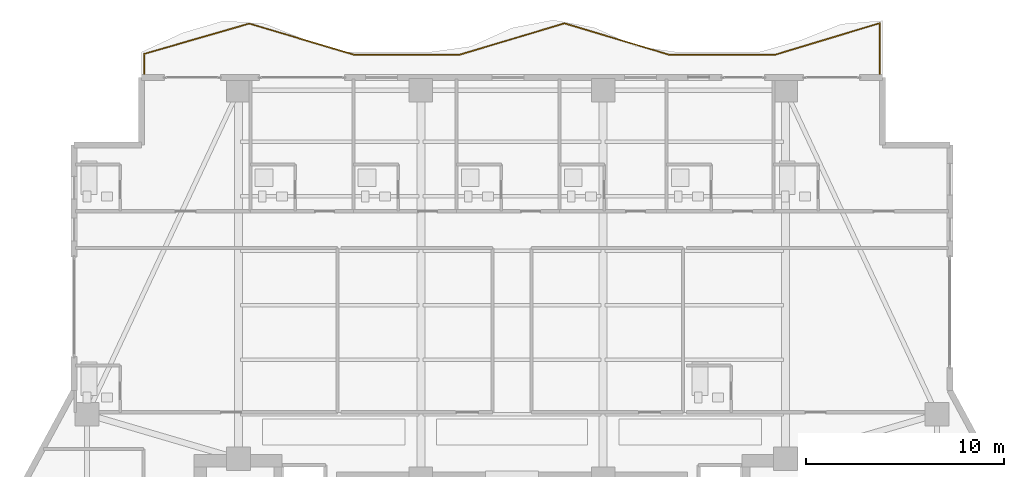
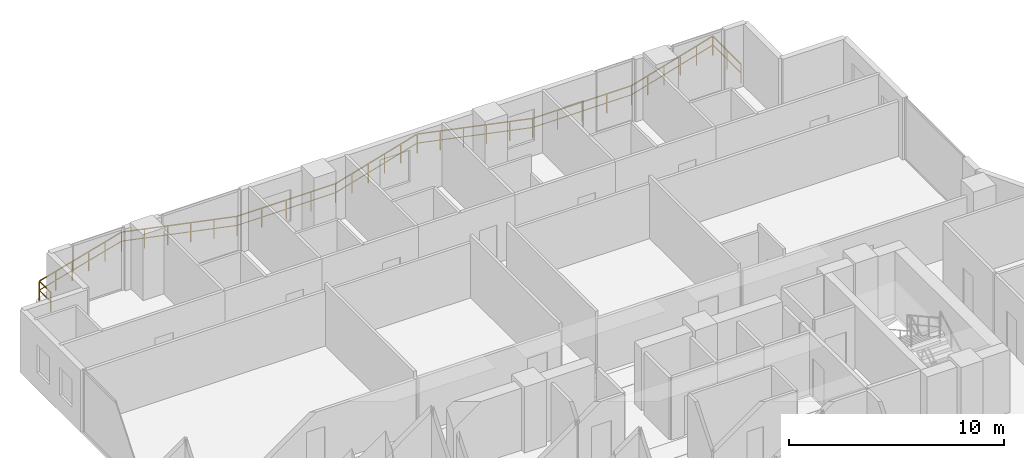
# One storey, part 31 of 32: 1 railing.
"""IFC4 building model written with IfcOpenShell, lengths in metres."""

from ifc_helpers import new_model, si_unit, direction, frame, origin, origin_2d, place, context, subcontext, project, spatial, rectangle, extrude, material, type_object, element, save


model = new_model("IFC4")

# Units and contexts
model_context = context("Model", 3, precision=1e-05, world=origin(), true_north=direction((0.0, 1.0)))
body_context = subcontext(model_context, "Body", "Model", "MODEL_VIEW")
ifc_project = project(units=[si_unit("LENGTHUNIT", "METRE"), si_unit("AREAUNIT", "SQUARE_METRE"), si_unit("VOLUMEUNIT", "CUBIC_METRE"), si_unit("PLANEANGLEUNIT", "RADIAN"), si_unit("MASSUNIT", "GRAM", prefix="KILO")], contexts=[model_context])

# Site, building, storey
site_placement = place(None, origin())
site = spatial("IfcSite", under=ifc_project, at=site_placement, CompositionType="ELEMENT")
building_placement = place(site_placement, origin())
building = spatial("IfcBuilding", under=site, at=building_placement, Name="Zuhayl Quay Hotel", CompositionType="ELEMENT")
storey_placement = place(building_placement, frame((0.0, 0.0, 203.64990234375)))
storey = spatial("IfcBuildingStorey", under=building, at=storey_placement, Name="L51", CompositionType="ELEMENT", Elevation=203.64990234375)

# Railing
ifc_material = material(Name="Anodised Aluminium and Laminated Glass", Category="aluminium")
railing_type = type_object("IfcRailingType", Name="RL_EXT_BAL_1100", PredefinedType="BALUSTRADE", material=ifc_material)
railing_placement = place(storey_placement, frame((-18.56005859375, 33.719970703125, 0.0)))
element("IfcRailing", 1, at=railing_placement, inside=storey, type_object=railing_type, Name="L51 Balcony and Terrace Guard GR_L51_BAL_N", PredefinedType="BALUSTRADE", context=body_context, shape_type="SweptSolid", body=[
    extrude(rectangle(XDim=0.048095703125, YDim=0.048095703125, at=origin_2d()), frame((0.0, 0.0, 1.09619140625), z_axis=(0.0, 1.0, 0.0), x_axis=(-1.0, 0.0, 0.0)), (0.0, 0.0, 1.0), 1.069580078125),
    extrude(rectangle(XDim=0.0361328125, YDim=0.0361328125, at=origin_2d()), frame((0.0, 0.0, 0.58251953125), z_axis=(0.0, 1.0, 0.0), x_axis=(-1.0, 0.0, 0.0)), (0.0, 0.0, 1.0), 1.069580078125),
    extrude(rectangle(XDim=0.048095703125, YDim=0.048095703125, at=origin_2d()), frame((0.0, 1.069580078125, 1.09619140625), z_axis=(0.960772607216, 0.27733733471, 0.0), x_axis=(-0.27733733471, 0.960772607216, 0.0)), (0.0, 0.0, 1.0), 5.51953125),
    extrude(rectangle(XDim=0.0361328125, YDim=0.0361328125, at=origin_2d()), frame((0.0, 1.069580078125, 0.58251953125), z_axis=(0.960772607216, 0.27733733471, 0.0), x_axis=(-0.27733733471, 0.960772607216, 0.0)), (0.0, 0.0, 1.0), 5.51953125),
    extrude(rectangle(XDim=0.048095703125, YDim=0.048095703125, at=origin_2d()), frame((5.302978515625, 2.600341796875, 1.09619140625), z_axis=(0.958346890722, -0.285606787461, 0.0), x_axis=(0.285606787461, 0.958346890722, 0.0)), (0.0, 0.0, 1.0), 5.533203125),
    extrude(rectangle(XDim=0.0361328125, YDim=0.0361328125, at=origin_2d()), frame((5.302978515625, 2.600341796875, 0.58251953125), z_axis=(0.958346890722, -0.285606787461, 0.0), x_axis=(0.285606787461, 0.958346890722, 0.0)), (0.0, 0.0, 1.0), 5.533203125),
    extrude(rectangle(XDim=0.048095703125, YDim=0.048095703125, at=origin_2d()), frame((10.605712890625, 1.02001953125, 1.09619140625), z_axis=(0.999999227431, 0.001243035732, 0.0), x_axis=(-0.001243035732, 0.999999227431, 0.0)), (0.0, 0.0, 1.0), 5.302978515625),
    extrude(rectangle(XDim=0.0361328125, YDim=0.0361328125, at=origin_2d()), frame((10.605712890625, 1.02001953125, 0.58251953125), z_axis=(0.999999227431, 0.001243035732, 0.0), x_axis=(-0.001243035732, 0.999999227431, 0.0)), (0.0, 0.0, 1.0), 5.302978515625),
    extrude(rectangle(XDim=0.048095703125, YDim=0.048095703125, at=origin_2d()), frame((15.90869140625, 1.026611328125, 1.09619140625), z_axis=(0.958153480649, 0.286254969426, 0.0), x_axis=(-0.286254969426, 0.958153480649, 0.0)), (0.0, 0.0, 1.0), 5.534423828125),
    extrude(rectangle(XDim=0.0361328125, YDim=0.0361328125, at=origin_2d()), frame((15.90869140625, 1.026611328125, 0.58251953125), z_axis=(0.958153480649, 0.286254969426, 0.0), x_axis=(-0.286254969426, 0.958153480649, 0.0)), (0.0, 0.0, 1.0), 5.534423828125),
    extrude(rectangle(XDim=0.048095703125, YDim=0.048095703125, at=origin_2d()), frame((21.21142578125, 2.61083984375, 1.09619140625), z_axis=(0.957829926177, -0.287335748767, 0.0), x_axis=(0.287335748767, 0.957829926177, 0.0)), (0.0, 0.0, 1.0), 5.536376953125),
    extrude(rectangle(XDim=0.0361328125, YDim=0.0361328125, at=origin_2d()), frame((21.21142578125, 2.61083984375, 0.58251953125), z_axis=(0.957829926177, -0.287335748767, 0.0), x_axis=(0.287335748767, 0.957829926177, 0.0)), (0.0, 0.0, 1.0), 5.536376953125),
    extrude(rectangle(XDim=0.048095703125, YDim=0.048095703125, at=origin_2d()), frame((26.514404296875, 1.02001953125, 1.09619140625), z_axis=(1.0, 0.0, 0.0), x_axis=(0.0, 1.0, 0.0)), (0.0, 0.0, 1.0), 5.302734375),
    extrude(rectangle(XDim=0.0361328125, YDim=0.0361328125, at=origin_2d()), frame((26.514404296875, 1.02001953125, 0.58251953125), z_axis=(1.0, 0.0, 0.0), x_axis=(0.0, 1.0, 0.0)), (0.0, 0.0, 1.0), 5.302734375),
    extrude(rectangle(XDim=0.048095703125, YDim=0.048095703125, at=origin_2d()), frame((31.817138671875, 1.02001953125, 1.09619140625), z_axis=(0.957392112465, 0.2887911754, 0.0), x_axis=(-0.2887911754, 0.957392112465, 0.0)), (0.0, 0.0, 1.0), 5.5390625),
    extrude(rectangle(XDim=0.0361328125, YDim=0.0361328125, at=origin_2d()), frame((31.817138671875, 1.02001953125, 0.58251953125), z_axis=(0.957392112465, 0.2887911754, 0.0), x_axis=(-0.2887911754, 0.957392112465, 0.0)), (0.0, 0.0, 1.0), 5.5390625),
    extrude(rectangle(XDim=0.048095703125, YDim=0.048095703125, at=origin_2d()), frame((37.1201171875, 2.61962890625, 1.09619140625), z_axis=(0.0, -1.0, 0.0), x_axis=(1.0, 0.0, 0.0)), (0.0, 0.0, 1.0), 2.61962890625),
    extrude(rectangle(XDim=0.0361328125, YDim=0.0361328125, at=origin_2d()), frame((37.1201171875, 2.61962890625, 0.58251953125), z_axis=(0.0, -1.0, 0.0), x_axis=(1.0, 0.0, 0.0)), (0.0, 0.0, 1.0), 2.61962890625),
    extrude(rectangle(XDim=0.0419921875, YDim=0.0419921875, at=origin_2d()), origin(), (0.0, 0.0, 1.0), 1.072021484375),
    extrude(rectangle(XDim=0.0419921875, YDim=0.0419921875, at=origin_2d()), frame((0.0, 1.069580078125, 0.0)), (0.0, 0.0, 1.0), 1.072021484375),
    extrude(rectangle(XDim=0.0419921875, YDim=0.0419921875, at=origin_2d()), frame((1.060546875, 1.375732421875, 0.0)), (0.0, 0.0, 1.0), 1.072021484375),
    extrude(rectangle(XDim=0.0419921875, YDim=0.0419921875, at=origin_2d()), frame((2.12109375, 1.681884765625, 0.0)), (0.0, 0.0, 1.0), 1.072021484375),
    extrude(rectangle(XDim=0.0419921875, YDim=0.0419921875, at=origin_2d()), frame((3.181884765625, 1.988037109375, 0.0)), (0.0, 0.0, 1.0), 1.072021484375),
    extrude(rectangle(XDim=0.0419921875, YDim=0.0419921875, at=origin_2d()), frame((4.242431640625, 2.294189453125, 0.0)), (0.0, 0.0, 1.0), 1.072021484375),
    extrude(rectangle(XDim=0.0419921875, YDim=0.0419921875, at=origin_2d()), frame((5.302978515625, 2.600341796875, 0.0)), (0.0, 0.0, 1.0), 1.072021484375),
    extrude(rectangle(XDim=0.0419921875, YDim=0.0419921875, at=origin_2d()), frame((6.363525390625, 2.2841796875, 0.0)), (0.0, 0.0, 1.0), 1.072021484375),
    extrude(rectangle(XDim=0.0419921875, YDim=0.0419921875, at=origin_2d()), frame((7.424072265625, 1.96826171875, 0.0)), (0.0, 0.0, 1.0), 1.072021484375),
    extrude(rectangle(XDim=0.0419921875, YDim=0.0419921875, at=origin_2d()), frame((8.484619140625, 1.652099609375, 0.0)), (0.0, 0.0, 1.0), 1.072021484375),
    extrude(rectangle(XDim=0.0419921875, YDim=0.0419921875, at=origin_2d()), frame((9.545166015625, 1.336181640625, 0.0)), (0.0, 0.0, 1.0), 1.072021484375),
    extrude(rectangle(XDim=0.0419921875, YDim=0.0419921875, at=origin_2d()), frame((10.605712890625, 1.02001953125, 0.0)), (0.0, 0.0, 1.0), 1.072021484375),
    extrude(rectangle(XDim=0.0419921875, YDim=0.0419921875, at=origin_2d()), frame((11.931396484375, 1.021728515625, 0.0)), (0.0, 0.0, 1.0), 1.072021484375),
    extrude(rectangle(XDim=0.0419921875, YDim=0.0419921875, at=origin_2d()), frame((13.25732421875, 1.0234375, 0.0)), (0.0, 0.0, 1.0), 1.072021484375),
    extrude(rectangle(XDim=0.0419921875, YDim=0.0419921875, at=origin_2d()), frame((14.5830078125, 1.02490234375, 0.0)), (0.0, 0.0, 1.0), 1.072021484375),
    extrude(rectangle(XDim=0.0419921875, YDim=0.0419921875, at=origin_2d()), frame((15.90869140625, 1.026611328125, 0.0)), (0.0, 0.0, 1.0), 1.072021484375),
    extrude(rectangle(XDim=0.0419921875, YDim=0.0419921875, at=origin_2d()), frame((16.96923828125, 1.343505859375, 0.0)), (0.0, 0.0, 1.0), 1.072021484375),
    extrude(rectangle(XDim=0.0419921875, YDim=0.0419921875, at=origin_2d()), frame((18.02978515625, 1.660400390625, 0.0)), (0.0, 0.0, 1.0), 1.072021484375),
    extrude(rectangle(XDim=0.0419921875, YDim=0.0419921875, at=origin_2d()), frame((19.09033203125, 1.97705078125, 0.0)), (0.0, 0.0, 1.0), 1.072021484375),
    extrude(rectangle(XDim=0.0419921875, YDim=0.0419921875, at=origin_2d()), frame((20.15087890625, 2.2939453125, 0.0)), (0.0, 0.0, 1.0), 1.072021484375),
    extrude(rectangle(XDim=0.0419921875, YDim=0.0419921875, at=origin_2d()), frame((21.21142578125, 2.61083984375, 0.0)), (0.0, 0.0, 1.0), 1.072021484375),
    extrude(rectangle(XDim=0.0419921875, YDim=0.0419921875, at=origin_2d()), frame((22.27197265625, 2.292724609375, 0.0)), (0.0, 0.0, 1.0), 1.072021484375),
    extrude(rectangle(XDim=0.0419921875, YDim=0.0419921875, at=origin_2d()), frame((23.33251953125, 1.974609375, 0.0)), (0.0, 0.0, 1.0), 1.072021484375),
    extrude(rectangle(XDim=0.0419921875, YDim=0.0419921875, at=origin_2d()), frame((24.393310546875, 1.65625, 0.0)), (0.0, 0.0, 1.0), 1.072021484375),
    extrude(rectangle(XDim=0.0419921875, YDim=0.0419921875, at=origin_2d()), frame((25.453857421875, 1.338134765625, 0.0)), (0.0, 0.0, 1.0), 1.072021484375),
    extrude(rectangle(XDim=0.0419921875, YDim=0.0419921875, at=origin_2d()), frame((26.514404296875, 1.02001953125, 0.0)), (0.0, 0.0, 1.0), 1.072021484375),
    extrude(rectangle(XDim=0.0419921875, YDim=0.0419921875, at=origin_2d()), frame((27.840087890625, 1.02001953125, 0.0)), (0.0, 0.0, 1.0), 1.072021484375),
    extrude(rectangle(XDim=0.0419921875, YDim=0.0419921875, at=origin_2d()), frame((29.165771484375, 1.02001953125, 0.0)), (0.0, 0.0, 1.0), 1.072021484375),
    extrude(rectangle(XDim=0.0419921875, YDim=0.0419921875, at=origin_2d()), frame((30.491455078125, 1.02001953125, 0.0)), (0.0, 0.0, 1.0), 1.072021484375),
    extrude(rectangle(XDim=0.0419921875, YDim=0.0419921875, at=origin_2d()), frame((31.817138671875, 1.02001953125, 0.0)), (0.0, 0.0, 1.0), 1.072021484375),
    extrude(rectangle(XDim=0.0419921875, YDim=0.0419921875, at=origin_2d()), frame((32.877685546875, 1.33984375, 0.0)), (0.0, 0.0, 1.0), 1.072021484375),
    extrude(rectangle(XDim=0.0419921875, YDim=0.0419921875, at=origin_2d()), frame((33.938232421875, 1.659912109375, 0.0)), (0.0, 0.0, 1.0), 1.072021484375),
    extrude(rectangle(XDim=0.0419921875, YDim=0.0419921875, at=origin_2d()), frame((34.9990234375, 1.979736328125, 0.0)), (0.0, 0.0, 1.0), 1.072021484375),
    extrude(rectangle(XDim=0.0419921875, YDim=0.0419921875, at=origin_2d()), frame((36.0595703125, 2.2998046875, 0.0)), (0.0, 0.0, 1.0), 1.072021484375),
    extrude(rectangle(XDim=0.0419921875, YDim=0.0419921875, at=origin_2d()), frame((37.1201171875, 2.61962890625, 0.0)), (0.0, 0.0, 1.0), 1.072021484375),
    extrude(rectangle(XDim=0.0419921875, YDim=0.0419921875, at=origin_2d()), frame((37.1201171875, 1.309814453125, 0.0)), (0.0, 0.0, 1.0), 1.072021484375),
    extrude(rectangle(XDim=0.0419921875, YDim=0.0419921875, at=origin_2d()), frame((37.1201171875, 0.0, 0.0)), (0.0, 0.0, 1.0), 1.072021484375),
])

save(model, "model.ifc")
